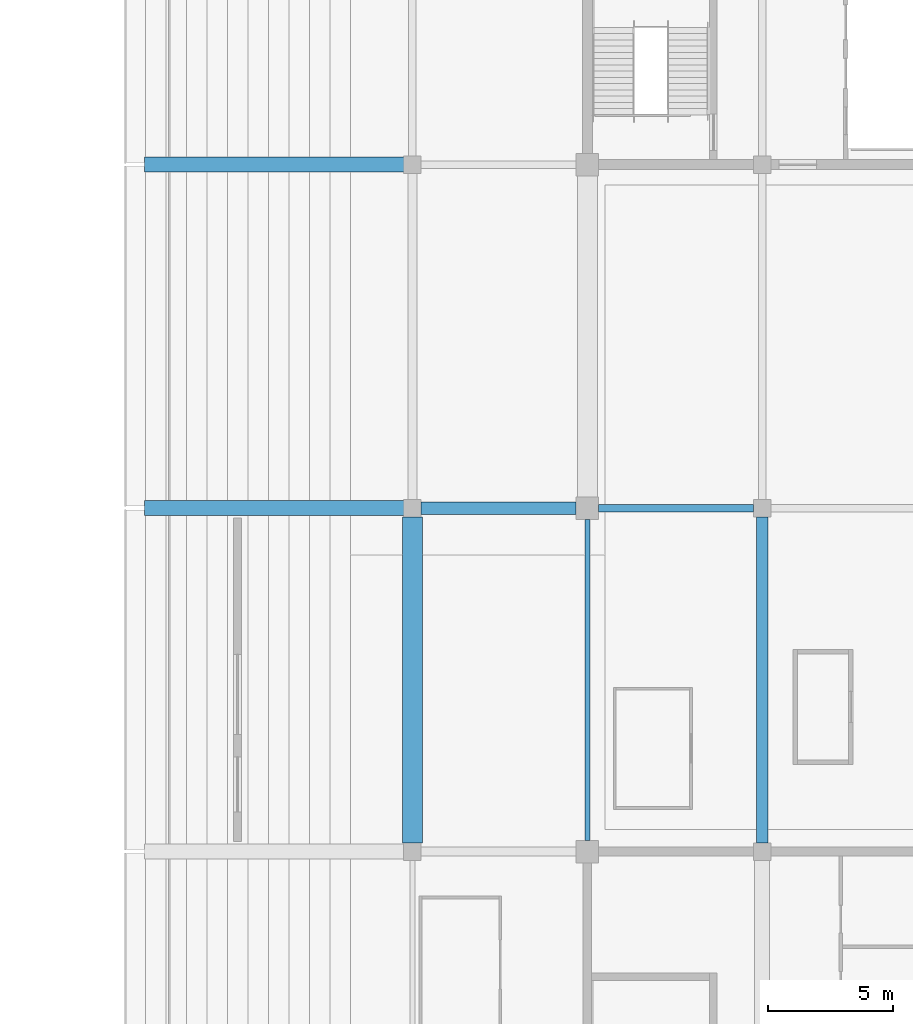
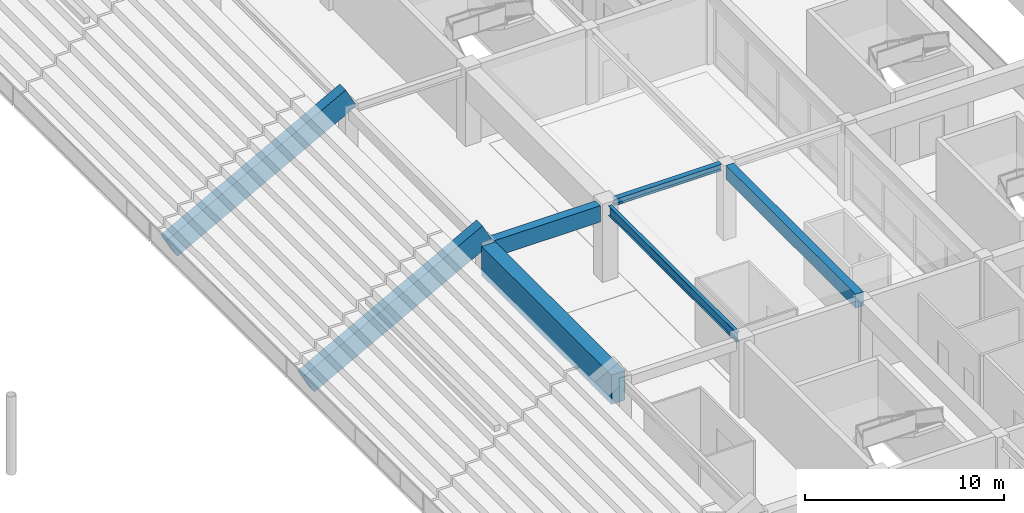
# One storey, part 34 of 94: 7 beams.
"""IFC4 building model written with IfcOpenShell, lengths in metres."""

from ifc_helpers import new_model, si_unit, direction, frame, origin, origin_2d, place, context, subcontext, project, spatial, rectangle, i_section, extrude, material, material_profile, profile_set, type_object, element, save


model = new_model("IFC4")

# Units and contexts
model_context = context("Model", 3, precision=1e-05, world=origin(), true_north=direction((0.0, 1.0)))
body_context = subcontext(model_context, "Body", "Model", "MODEL_VIEW")
ifc_project = project(units=[si_unit("LENGTHUNIT", "METRE"), si_unit("AREAUNIT", "SQUARE_METRE"), si_unit("VOLUMEUNIT", "CUBIC_METRE"), si_unit("PLANEANGLEUNIT", "RADIAN"), si_unit("MASSUNIT", "GRAM", prefix="KILO")], contexts=[model_context])

# Site, building, storey
site_placement = place(None, origin())
site = spatial("IfcSite", under=ifc_project, at=site_placement, CompositionType="ELEMENT")
building_placement = place(site_placement, origin())
building = spatial("IfcBuilding", under=site, at=building_placement, Name="Linyun Crest Stadium", CompositionType="ELEMENT")
storey_placement = place(building_placement, frame((0.0, 0.0, 16.199951171875)))
storey = spatial("IfcBuildingStorey", under=building, at=storey_placement, Name="L04", CompositionType="ELEMENT", Elevation=16.199951171875)

# Beams
ifc_material_1 = material(Name="Concrete C40", Category="concrete")
ifc_material_profile_1 = material_profile(ifc_material_1, rectangle(XDim=0.449951171875, YDim=0.85009765625, at=origin_2d()), Name="RCB 850x450")
ifc_profile_set_1 = profile_set([ifc_material_profile_1], Name="Concrete C40")
beam_type_1 = type_object("IfcBeamType", Name="B04", PredefinedType="BEAM", material=ifc_profile_set_1)
beam_1_placement = place(storey_placement, frame((77.0, -25.02490234375, 4.175048828125), z_axis=(0.0, 1.0, 0.0), x_axis=(-1.0, 0.0, 0.0)))
element("IfcBeam", 1, at=beam_1_placement, inside=storey, type_object=beam_type_1, Name="Frame beam B04 L04 712", PredefinedType="BEAM", context=body_context, shape_type="SweptSolid", body=[
    extrude(rectangle(XDim=0.449951171875, YDim=0.85009765625, at=origin_2d()), origin(), (0.0, 0.0, 1.0), 13.0498046875),
])
ifc_material_2 = material(Name="Concrete C40", Category="concrete")
ifc_material_profile_2 = material_profile(ifc_material_2, rectangle(XDim=0.5, YDim=1.0, at=origin_2d()), Name="RCB 1000x500")
ifc_profile_set_2 = profile_set([ifc_material_profile_2], Name="Concrete C40")
beam_type_2 = type_object("IfcBeamType", Name="B05", PredefinedType="BEAM", material=ifc_profile_set_2)
beam_2_placement = place(storey_placement, frame((63.35009765625, -11.625, 4.10009765625), z_axis=(1.0, 0.0, 0.0), x_axis=(0.0, 1.0, 0.0)))
element("IfcBeam", 2, at=beam_2_placement, inside=storey, type_object=beam_type_2, Name="Frame beam B05 L04 685", PredefinedType="BEAM", context=body_context, shape_type="SweptSolid", body=[
    extrude(rectangle(XDim=0.5, YDim=1.0, at=origin_2d()), origin(), (0.0, 0.0, 1.0), 6.199951171875),
])
ifc_material_3 = material(Name="Steel Q355C", Category="steel")
ifc_material_profile_3 = material_profile(ifc_material_3, i_section(OverallWidth=0.300048828125, OverallDepth=0.389892578125, WebThickness=0.010009765625, FlangeThickness=0.01611328125, at=origin_2d()), Name="HM 390x300")
ifc_profile_set_3 = profile_set([ifc_material_profile_3], Name="Steel Q355C")
beam_type_3 = type_object("IfcBeamType", Name="B06", PredefinedType="BEAM", material=ifc_profile_set_3)
beam_3_placement = place(storey_placement, frame((70.449951171875, -11.625, 4.405029296875), z_axis=(1.0, 0.0, 0.0), x_axis=(0.0, 1.0, 0.0)))
element("IfcBeam", 3, at=beam_3_placement, inside=storey, type_object=beam_type_3, Name="Frame beam B06 L04 686", PredefinedType="BEAM", context=body_context, shape_type="SweptSolid", body=[
    extrude(i_section(OverallWidth=0.300048828125, OverallDepth=0.389892578125, WebThickness=0.010009765625, FlangeThickness=0.01611328125, at=origin_2d()), origin(), (0.0, 0.0, 1.0), 6.199951171875),
])
ifc_material_4 = material(Name="Steel Q355C", Category="steel")
ifc_material_profile_4 = material_profile(ifc_material_4, i_section(OverallWidth=0.199951171875, OverallDepth=0.60009765625, WebThickness=0.010986328125, FlangeThickness=0.01708984375, at=origin_2d()), Name="HN 600x200")
ifc_profile_set_4 = profile_set([ifc_material_profile_4], Name="Steel Q355C")
beam_type_4 = type_object("IfcBeamType", Name="B11", PredefinedType="BEAM", material=ifc_profile_set_4)
beam_4_placement = place(storey_placement, frame((70.0, -24.925048828125, 4.300048828125), z_axis=(0.0, 1.0, 0.0), x_axis=(-1.0, 0.0, 0.0)))
element("IfcBeam", 4, at=beam_4_placement, inside=storey, type_object=beam_type_4, Name="Frame beam B11 L04 707", PredefinedType="BEAM", context=body_context, shape_type="SweptSolid", body=[
    extrude(i_section(OverallWidth=0.199951171875, OverallDepth=0.60009765625, WebThickness=0.010986328125, FlangeThickness=0.01708984375, at=origin_2d()), origin(), (0.0, 0.0, 1.0), 12.85009765625),
])
ifc_material_5 = material(Name="Concrete C50", Category="concrete")
ifc_material_profile_5 = material_profile(ifc_material_5, rectangle(XDim=0.800048828125, YDim=1.800048828125, at=origin_2d()), Name="RCB 1800x800")
ifc_profile_set_5 = profile_set([ifc_material_profile_5], Name="Concrete C50")
beam_type_5 = type_object("IfcBeamType", Name="B14", PredefinedType="BEAM", material=ifc_profile_set_5)
beam_5_placement = place(storey_placement, frame((63.0, -25.02490234375, 3.699951171875), z_axis=(0.0, 1.0, 0.0), x_axis=(-1.0, 0.0, 0.0)))
element("IfcBeam", 5, at=beam_5_placement, inside=storey, type_object=beam_type_5, Name="Frame beam B14 L04 701", PredefinedType="BEAM", context=body_context, shape_type="SweptSolid", body=[
    extrude(rectangle(XDim=0.800048828125, YDim=1.800048828125, at=origin_2d()), origin(), (0.0, 0.0, 1.0), 13.0498046875),
])
ifc_material_6 = material(Name="Precast concrete C50", Category="concrete")
ifc_material_profile_6 = material_profile(ifc_material_6, rectangle(XDim=0.60009765625, YDim=1.35009765625, at=origin_2d()), Name="PCR 1350x600")
ifc_profile_set_6 = profile_set([ifc_material_profile_6], Name="Precast concrete C50")
beam_type_6 = type_object("IfcBeamType", Name="RB03", PredefinedType="USERDEFINED", material=ifc_profile_set_6)
for number, where, z_axis, x_axis, name in (
    (6, (52.60009765625, -11.625, -0.39990234375), (0.88047441838, 0.0, 0.474093660134), (0.0, 1.0, 0.0), "Precast raker beam RB03 V2 31"),
    (7, (52.60009765625, 2.125, -0.39990234375), (0.88047441838, 0.0, 0.474093660134), (0.0, 1.0, 0.0), "Precast raker beam RB03 V2 39"),
):
    element("IfcBeam", number, at=place(storey_placement, frame(where, z_axis=z_axis, x_axis=x_axis)), inside=storey, type_object=beam_type_6, Name=name, ObjectType="RAKER", PredefinedType="USERDEFINED", context=body_context, shape_type="SweptSolid", body=[
        extrude(rectangle(XDim=0.60009765625, YDim=1.35009765625, at=origin_2d()), origin(), (0.0, 0.0, 1.0), 11.811767578125),
    ])

save(model, "model.ifc")
